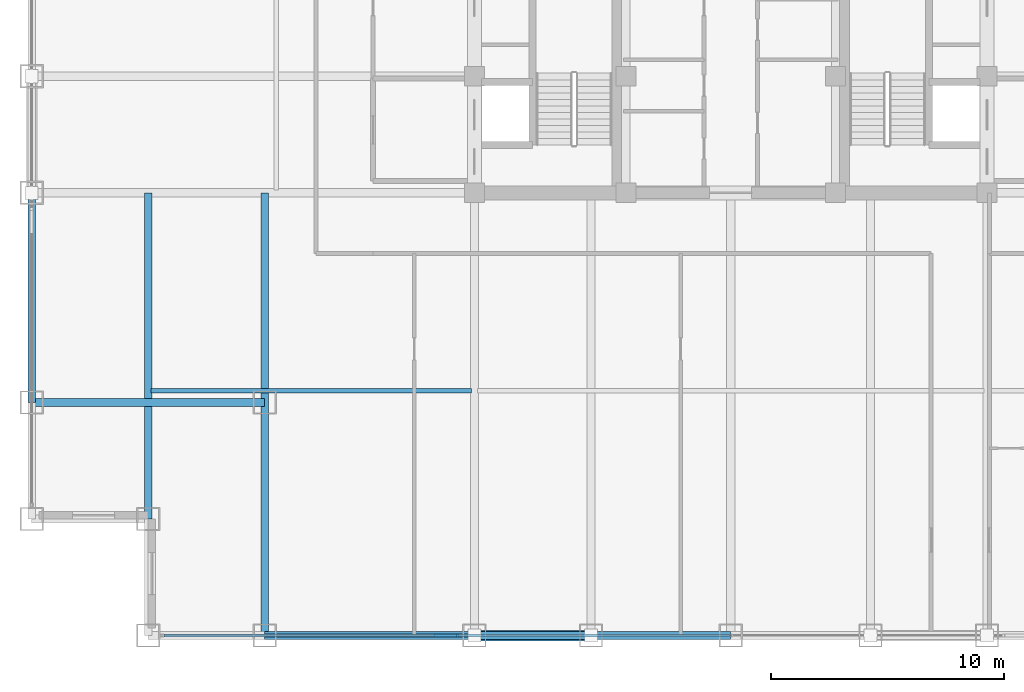
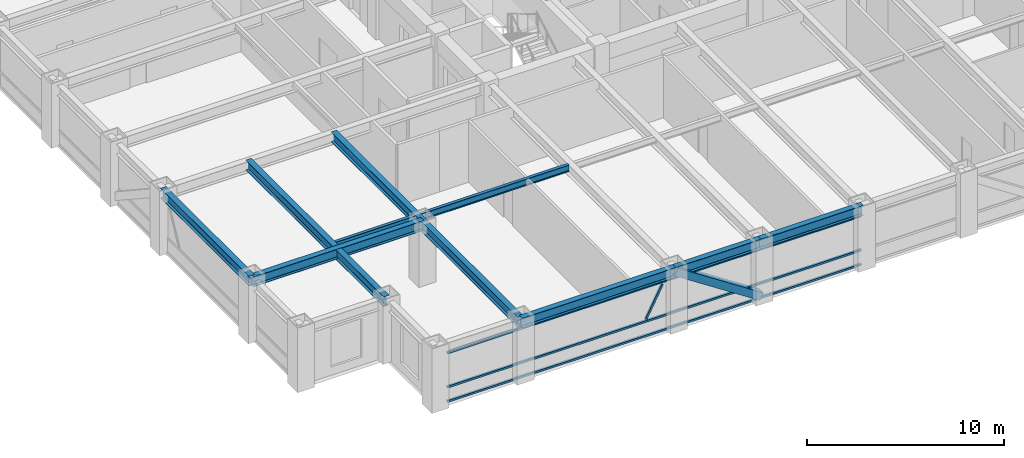
# One storey, part 3 of 25: 8 beams, 5 members, 1 element without a shape of its own.
"""IFC4 building model written with IfcOpenShell, lengths in metres."""

from ifc_helpers import new_model, si_unit, direction, frame, origin, origin_2d, place, context, subcontext, project, spatial, hollow_rectangle, i_section, extrude, source, transform, mapped, material, material_profile, profile_set, type_object, element, aggregate, save


model = new_model("IFC4")

# Units and contexts
model_context = context("Model", 3, precision=1e-05, world=origin(), true_north=direction((0.0, 1.0)))
body_context = subcontext(model_context, "Body", "Model", "MODEL_VIEW")
ifc_project = project(units=[si_unit("LENGTHUNIT", "METRE"), si_unit("AREAUNIT", "SQUARE_METRE"), si_unit("VOLUMEUNIT", "CUBIC_METRE"), si_unit("PLANEANGLEUNIT", "RADIAN"), si_unit("MASSUNIT", "GRAM", prefix="KILO")], contexts=[model_context])

# Site, building, storey
site_placement = place(None, origin())
site = spatial("IfcSite", under=ifc_project, at=site_placement, CompositionType="ELEMENT")
building_placement = place(site_placement, origin())
building = spatial("IfcBuilding", under=site, at=building_placement, Name="Khorayat Bourse Tower", CompositionType="ELEMENT")
storey_placement = place(building_placement, frame((0.0, 0.0, 247.10009765625)))
storey = spatial("IfcBuildingStorey", under=building, at=storey_placement, Name="L58", CompositionType="ELEMENT", Elevation=247.10009765625)

# Beams
ifc_material_1 = material(Name="Steel ASTM A992 Grade 50", Category="steel")
ifc_material_profile_1 = material_profile(ifc_material_1, i_section(OverallWidth=0.324951171875, OverallDepth=0.615966796875, WebThickness=0.013916015625, FlangeThickness=0.021484375, FilletRadius=0.01611328125, at=origin_2d()), Name="W610X174")
ifc_profile_set_1 = profile_set([ifc_material_profile_1], Name="Steel ASTM A992 Grade 50")
beam_type_1 = type_object("IfcBeamType", Name="BM-GIRD-610", PredefinedType="BEAM", material=ifc_profile_set_1)
shared_shape_1 = source(origin(), body_context, "Body", "SweptSolid", [
    extrude(i_section(OverallWidth=0.324951171875, OverallDepth=0.615966796875, WebThickness=0.013916015625, FlangeThickness=0.021484375, FilletRadius=0.01611328125, at=origin_2d()), origin(), (0.0, 0.0, 1.0), 19.0),
])
beam_1_placement = place(storey_placement, frame((-20.0, -30.0, 3.471923828125), z_axis=(0.0, 1.0, 0.0), x_axis=(-1.0, 0.0, 0.0)))
element("IfcBeam", 1, at=beam_1_placement, inside=storey, type_object=beam_type_1, Name="L58 BM-GIRD-610 BM-L58-CNRY-084", PredefinedType="BEAM", context=body_context, shape_type="MappedRepresentation", body=[
    mapped(shared_shape_1, transform((0.0, 0.0, 0.0), scale=1.0)),
])
shared_shape_2 = source(origin(), body_context, "Body", "SweptSolid", [
    extrude(i_section(OverallWidth=0.324951171875, OverallDepth=0.615966796875, WebThickness=0.013916015625, FlangeThickness=0.021484375, FilletRadius=0.01611328125, at=origin_2d()), origin(), (0.0, 0.0, 1.0), 10.0),
])
beam_2_placement = place(storey_placement, frame((-30.0, -20.0, 3.471923828125), z_axis=(1.0, 0.0, 0.0), x_axis=(0.0, 1.0, 0.0)))
element("IfcBeam", 2, at=beam_2_placement, inside=storey, type_object=beam_type_1, Name="L58 BM-GIRD-610 BM-L58-CNRX-093", PredefinedType="BEAM", context=body_context, shape_type="MappedRepresentation", body=[
    mapped(shared_shape_2, transform((0.0, 0.0, 0.0), scale=1.0)),
])
ifc_material_profile_2 = material_profile(ifc_material_1, i_section(OverallWidth=0.324951171875, OverallDepth=0.615966796875, WebThickness=0.013916015625, FlangeThickness=0.021484375, FilletRadius=0.01611328125, at=origin_2d()), Name="W610X174")
ifc_profile_set_2 = profile_set([ifc_material_profile_2], Name="Steel ASTM A992 Grade 50")
beam_type_2 = type_object("IfcBeamType", Name="BM-SPAN-610", PredefinedType="SPANDREL", material=ifc_profile_set_2)
shared_shape_3 = source(origin(), body_context, "Body", "SweptSolid", [
    extrude(i_section(OverallWidth=0.324951171875, OverallDepth=0.615966796875, WebThickness=0.013916015625, FlangeThickness=0.021484375, FilletRadius=0.01611328125, at=origin_2d()), origin(), (0.0, 0.0, 1.0), 9.0),
])
for number, where, z_axis, x_axis, name in (
    (3, (-20.0, -30.0, 3.471923828125), (1.0, 0.0, 0.0), (0.0, 1.0, 0.0), "L58 BM-SPAN-610 BM-L58-SPN-025"),
    (4, (-30.0, -20.0, 3.471923828125), (0.0, 1.0, 0.0), (-1.0, 0.0, 0.0), "L58 BM-SPAN-610 BM-L58-SPN-060"),
):
    element("IfcBeam", number, at=place(storey_placement, frame(where, z_axis=z_axis, x_axis=x_axis)), inside=storey, type_object=beam_type_2, Name=name, PredefinedType="SPANDREL", context=body_context, shape_type="MappedRepresentation", body=[
        mapped(shared_shape_3, transform((0.0, 0.0, 0.0), scale=1.0)),
    ])
shared_shape_4 = source(origin(), body_context, "Body", "SweptSolid", [
    extrude(i_section(OverallWidth=0.324951171875, OverallDepth=0.615966796875, WebThickness=0.013916015625, FlangeThickness=0.021484375, FilletRadius=0.01611328125, at=origin_2d()), origin(), (0.0, 0.0, 1.0), 5.0),
])
beam_3_placement = place(storey_placement, frame((-11.0, -30.0, 3.471923828125), z_axis=(1.0, 0.0, 0.0), x_axis=(0.0, 1.0, 0.0)))
element("IfcBeam", 5, at=beam_3_placement, inside=storey, type_object=beam_type_2, Name="L58 BM-SPAN-610 BM-L58-SPN-026", PredefinedType="SPANDREL", context=body_context, shape_type="MappedRepresentation", body=[
    mapped(shared_shape_4, transform((0.0, 0.0, 0.0), scale=1.0)),
])
shared_shape_5 = source(origin(), body_context, "Body", "SweptSolid", [
    extrude(i_section(OverallWidth=0.324951171875, OverallDepth=0.615966796875, WebThickness=0.013916015625, FlangeThickness=0.021484375, FilletRadius=0.01611328125, at=origin_2d()), origin(), (0.0, 0.0, 1.0), 6.0),
])
beam_4_placement = place(storey_placement, frame((-6.0, -30.0, 3.471923828125), z_axis=(1.0, 0.0, 0.0), x_axis=(0.0, 1.0, 0.0)))
element("IfcBeam", 6, at=beam_4_placement, inside=storey, type_object=beam_type_2, Name="L58 BM-SPAN-610 BM-L58-SPN-027", PredefinedType="SPANDREL", context=body_context, shape_type="MappedRepresentation", body=[
    mapped(shared_shape_5, transform((0.0, 0.0, 0.0), scale=1.0)),
])
shared_shape_6 = source(origin(), body_context, "Body", "SweptSolid", [
    extrude(i_section(OverallWidth=0.324951171875, OverallDepth=0.615966796875, WebThickness=0.013916015625, FlangeThickness=0.021484375, FilletRadius=0.01611328125, at=origin_2d()), origin(), (0.0, 0.0, 1.0), 14.0),
])
beam_5_placement = place(storey_placement, frame((-25.0, -25.0, 3.471923828125), z_axis=(0.0, 1.0, 0.0), x_axis=(-1.0, 0.0, 0.0)))
element("IfcBeam", 7, at=beam_5_placement, inside=storey, type_object=beam_type_1, Name="L58 BM-GIRD-610 BM-L58-CNRY-088", PredefinedType="BEAM", context=body_context, shape_type="MappedRepresentation", body=[
    mapped(shared_shape_6, transform((0.0, 0.0, 0.0), scale=1.0)),
])
ifc_material_profile_3 = material_profile(ifc_material_1, i_section(OverallWidth=0.180908203125, OverallDepth=0.4169921875, WebThickness=0.010986328125, FlangeThickness=0.018310546875, FilletRadius=0.011962890625, at=origin_2d()), Name="W410X85")
ifc_profile_set_3 = profile_set([ifc_material_profile_3], Name="Steel ASTM A992 Grade 50")
beam_type_3 = type_object("IfcBeamType", Name="BM-JOIST-410", PredefinedType="JOIST", material=ifc_profile_set_3)
shared_shape_7 = source(origin(), body_context, "Body", "SweptSolid", [
    extrude(i_section(OverallWidth=0.180908203125, OverallDepth=0.4169921875, WebThickness=0.010986328125, FlangeThickness=0.018310546875, FilletRadius=0.011962890625, at=origin_2d()), origin(), (0.0, 0.0, 1.0), 13.740234375),
])
beam_6_placement = place(storey_placement, frame((-24.8701171875, -19.5, 3.5712890625), z_axis=(1.0, 0.0, 0.0), x_axis=(0.0, 1.0, 0.0)))
element("IfcBeam", 8, at=beam_6_placement, inside=storey, type_object=beam_type_3, Name="L58 BM-JOIST-410 BM-L58-JSTX-096", PredefinedType="JOIST", context=body_context, shape_type="MappedRepresentation", body=[
    mapped(shared_shape_7, transform((0.0, 0.0, 0.0), scale=1.0)),
])

# Member
ifc_material_2 = material(Name="Steel EN 10025-4 S460M", Category="steel")
ifc_material_profile_4 = material_profile(ifc_material_2, hollow_rectangle(XDim=0.449951171875, YDim=0.449951171875, WallThickness=0.02490234375, at=origin_2d()), Name="HSS 450x450x25")
ifc_profile_set_4 = profile_set([ifc_material_profile_4], Name="Steel EN 10025-4 S460M")
member_type_1 = type_object("IfcMemberType", Name="MBR-TUBE-450", PredefinedType="BRACE", material=ifc_profile_set_4)
shared_shape_8 = source(origin(), body_context, "Body", "SweptSolid", [
    extrude(hollow_rectangle(XDim=0.449951171875, YDim=0.449951171875, WallThickness=0.02490234375, at=origin_2d()), origin(), (0.0, 0.0, 1.0), 5.979736328125),
])
member_1_placement = place(storey_placement, frame((-11.0, -30.0, 3.52978515625), z_axis=(0.836160261256, 0.0, -0.548485202623), x_axis=(0.0, 1.0, 0.0)))
element("IfcMember", 9, at=member_1_placement, inside=storey, type_object=member_type_1, Name="L58 Perimeter Tube Brace 01", PredefinedType="BRACE", context=body_context, shape_type="MappedRepresentation", body=[
    mapped(shared_shape_8, transform((0.0, 0.0, 0.0), scale=1.0)),
])

# Curtain wall, members
ifc_material_3 = material(Name="Aluminium EN AW-6063 T6", Category="aluminium")
curtain_wall_type = type_object("IfcCurtainWallType", Name="CW-SYS-03", PredefinedType="NOTDEFINED", material=ifc_material_3)
curtain_wall_placement = place(storey_placement, origin())
curtain_wall = element("IfcCurtainWall", 10, at=curtain_wall_placement, inside=storey, type_object=curtain_wall_type, Name="L58 Curtain Wall CW-L58-S1", PredefinedType="NOTDEFINED")
ifc_material_profile_5 = material_profile(ifc_material_3, hollow_rectangle(XDim=0.1201171875, YDim=0.1201171875, WallThickness=0.0048828125, at=origin_2d()), Name="ALU 120x120x5")
ifc_profile_set_5 = profile_set([ifc_material_profile_5], Name="Aluminium EN AW-6063 T6")
member_type_2 = type_object("IfcMemberType", Name="CWM-DIAG-120", PredefinedType="MULLION", material=ifc_profile_set_5)
shared_shape_9 = source(origin(), body_context, "Body", "SweptSolid", [
    extrude(hollow_rectangle(XDim=0.1201171875, YDim=0.1201171875, WallThickness=0.0048828125, at=origin_2d()), origin(), (0.0, 0.0, 1.0), 2.079345703125),
])
member_2_placement = place(storey_placement, frame((-12.67919921875, -30.0, 1.08984375), z_axis=(0.465760949701, 0.0, 0.884910581773), x_axis=(0.0, 1.0, 0.0)))
member_2 = element("IfcMember", 11, at=member_2_placement, type_object=member_type_2, Name="CW-L58-S1 Faceted Diagonal Mullion 1", PredefinedType="MULLION", context=body_context, shape_type="MappedRepresentation", body=[
    mapped(shared_shape_9, transform((0.0, 0.0, 0.0), scale=1.0)),
])
ifc_material_profile_6 = material_profile(ifc_material_3, hollow_rectangle(XDim=0.1201171875, YDim=0.1201171875, WallThickness=0.0048828125, at=origin_2d()), Name="ALU 120x120x5")
ifc_profile_set_6 = profile_set([ifc_material_profile_6], Name="Aluminium EN AW-6063 T6")
member_type_3 = type_object("IfcMemberType", Name="CWT-HORZ-120", PredefinedType="USERDEFINED", material=ifc_profile_set_6)
shared_shape_10 = source(origin(), body_context, "Body", "SweptSolid", [
    extrude(hollow_rectangle(XDim=0.1201171875, YDim=0.1201171875, WallThickness=0.0048828125, at=origin_2d()), origin(), (0.0, 0.0, 1.0), 24.27001953125),
])
member_3_placement = place(storey_placement, frame((-24.330078125, -30.0, 0.059814453125), z_axis=(1.0, 0.0, 0.0), x_axis=(0.0, 1.0, 0.0)))
member_3 = element("IfcMember", 12, at=member_3_placement, type_object=member_type_3, Name="CW-L58-S1 Horizontal Transom 1-1", ObjectType="TRANSOM", PredefinedType="USERDEFINED", context=body_context, shape_type="MappedRepresentation", body=[
    mapped(shared_shape_10, transform((0.0, 0.0, 0.0), scale=1.0)),
])
member_4_placement = place(storey_placement, frame((-24.330078125, -30.0, 0.949951171875), z_axis=(1.0, 0.0, 0.0), x_axis=(0.0, 1.0, 0.0)))
member_4 = element("IfcMember", 13, at=member_4_placement, type_object=member_type_3, Name="CW-L58-S1 Horizontal Transom 1-2", ObjectType="TRANSOM", PredefinedType="USERDEFINED", context=body_context, shape_type="MappedRepresentation", body=[
    mapped(shared_shape_10, transform((0.0, 0.0, 0.0), scale=1.0)),
])
member_5_placement = place(storey_placement, frame((-24.330078125, -30.0, 3.06982421875), z_axis=(1.0, 0.0, 0.0), x_axis=(0.0, 1.0, 0.0)))
member_5 = element("IfcMember", 14, at=member_5_placement, type_object=member_type_3, Name="CW-L58-S1 Horizontal Transom 1-3", ObjectType="TRANSOM", PredefinedType="USERDEFINED", context=body_context, shape_type="MappedRepresentation", body=[
    mapped(shared_shape_10, transform((0.0, 0.0, 0.0), scale=1.0)),
])
aggregate(curtain_wall, [member_3, member_4, member_5, member_2])

save(model, "model.ifc")
